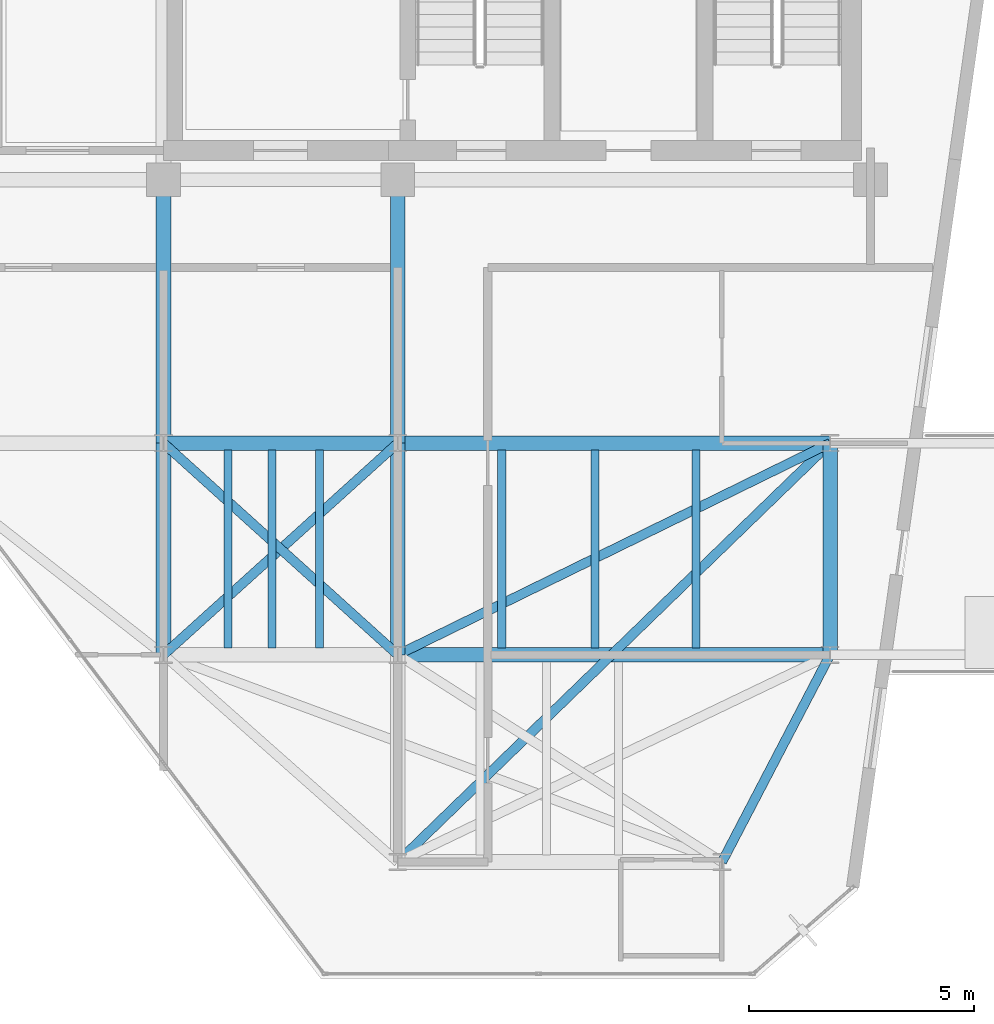
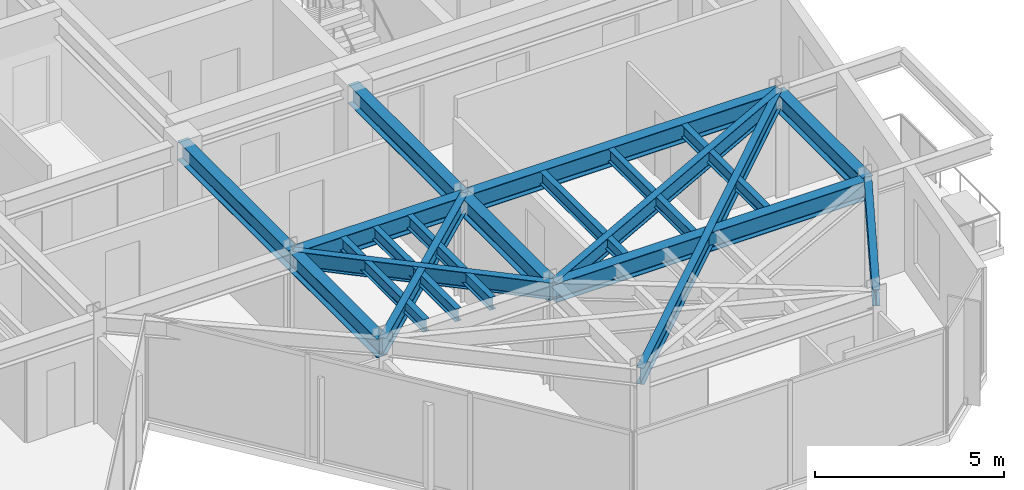
# One storey, part 10 of 16: 19 beams.
"""IFC4 building model written with IfcOpenShell, lengths in metres."""

import ifcopenshell
import ifcopenshell.guid

model = None  # the IFC model being written
_history = None  # IfcOwnerHistory: only IFC2X3 demands one
_inside = {}  # id of a spatial element -> (the spatial element, [elements in it])
_under = {}  # id of a project, library or spatial element -> (it, [spatial elements below it])
_declared = {}  # id of a project -> (the project, [libraries it declares])
_typed = {}  # id of a type object -> (the type object, [elements of that type])
_made_of = {}  # id of a material, layer set ... -> (it, [elements and type objects made of it])


def new_model(schema):
    """Start an empty IFC model of exactly this schema.

    Asked for "IFC4X3", IfcOpenShell would pick the latest addendum, in which some entities
    have other attributes; the version numbers below select the first issue.
    IFC2X3 requires an IfcOwnerHistory on every rooted entity: one is made here for all.
    """
    global model, _history
    if schema == "IFC4X3":
        model = ifcopenshell.file(schema_version=(4, 3, 0, 0))
    else:
        model = ifcopenshell.file(schema=schema)
    _inside.clear()
    _under.clear()
    _declared.clear()
    _typed.clear()
    _made_of.clear()
    _history = None
    if model.schema == "IFC2X3":
        org = make("IfcOrganization", Name="unknown")
        user = make(
            "IfcPersonAndOrganization",
            ThePerson=make("IfcPerson", FamilyName="unknown"),
            TheOrganization=org,
        )
        app = make(
            "IfcApplication",
            ApplicationDeveloper=org,
            Version="unknown",
            ApplicationFullName="unknown",
            ApplicationIdentifier="unknown",
        )
        _history = make(
            "IfcOwnerHistory",
            OwningUser=user,
            OwningApplication=app,
            ChangeAction="ADDED",
            CreationDate=0,
        )
    return model


def make(cls, **values):
    """One entity of the class cls with the attributes given. An attribute that is None is left unset."""
    return model.create_entity(
        cls, **{name: value for name, value in values.items() if value is not None}
    )


def rooted(cls, **values):
    """An entity with a GlobalId (a new one), such as an element, a storey or a relation."""
    return make(cls, GlobalId=ifcopenshell.guid.new(), OwnerHistory=_history, **values)


def si_unit(unit_type, name, prefix=None):
    """IfcSIUnit, for example si_unit("LENGTHUNIT", "METRE", prefix="MILLI")."""
    return make("IfcSIUnit", UnitType=unit_type, Prefix=prefix, Name=name)


def assignment(units):
    """IfcUnitAssignment: the units of a project."""
    return None if units is None else make("IfcUnitAssignment", Units=units)


def point(xyz):
    """IfcCartesianPoint."""
    return None if xyz is None else make("IfcCartesianPoint", Coordinates=xyz)


def direction(xyz):
    """IfcDirection."""
    return None if xyz is None else make("IfcDirection", DirectionRatios=xyz)


def frame(location, z_axis=None, x_axis=None):
    """IfcAxis2Placement3D, a coordinate frame: its origin and axes. An axis left out is left unset."""
    return make(
        "IfcAxis2Placement3D",
        Location=point(location),
        Axis=direction(z_axis),
        RefDirection=direction(x_axis),
    )


def frame_2d(location, x_axis=None):
    """IfcAxis2Placement2D, a coordinate frame in the plane: its origin and x axis."""
    return make(
        "IfcAxis2Placement2D", Location=point(location), RefDirection=direction(x_axis)
    )


def origin():
    """The frame at (0, 0, 0) with its axes left unset."""
    return frame((0.0, 0.0, 0.0))


def origin_2d():
    """The frame at (0, 0) in the plane with its x axis left unset."""
    return frame_2d((0.0, 0.0))


def place(relative_to, where):
    """IfcLocalPlacement: puts the frame where relative to a parent placement (None: the world)."""
    return make(
        "IfcLocalPlacement", PlacementRelTo=relative_to, RelativePlacement=where
    )


def context(
    kind, dimensions, precision=None, world=None, true_north=None, identifier=None
):
    """IfcGeometricRepresentationContext, for example the 3D "Model" context."""
    return make(
        "IfcGeometricRepresentationContext",
        ContextIdentifier=identifier,
        ContextType=kind,
        CoordinateSpaceDimension=dimensions,
        Precision=precision,
        WorldCoordinateSystem=world,
        TrueNorth=true_north,
    )


def subcontext(parent, identifier, kind, view, scale=None):
    """IfcGeometricRepresentationSubContext, for example "Body" below "Model"."""
    return make(
        "IfcGeometricRepresentationSubContext",
        ContextIdentifier=identifier,
        ContextType=kind,
        ParentContext=parent,
        TargetScale=scale,
        TargetView=view,
    )


def project(units=None, contexts=None):
    """IfcProject with its units and contexts."""
    return rooted(
        "IfcProject",
        Name="project",
        RepresentationContexts=contexts,
        UnitsInContext=assignment(units),
    )


def spatial(cls, under=None, at=None, **own):
    """A site, building, storey or space (cls), placed at a placement, below another one or the project."""
    s = rooted(cls, ObjectPlacement=at, **own)
    if under is not None:
        _under.setdefault(under.id(), (under, []))[1].append(s)
    return s


def profile(cls, at=None, kind="AREA", **sizes):
    """A parametric profile (cls). Its sizes go by their IFC names, for example OverallWidth=200.0."""
    return make(cls, ProfileType=kind, Position=at, **sizes)


def i_section(**sizes):
    """IfcIShapeProfileDef."""
    return profile("IfcIShapeProfileDef", **sizes)


def extrude(swept, where, along, depth):
    """IfcExtrudedAreaSolid: the profile swept, set in the frame where, extruded along a direction by depth."""
    return make(
        "IfcExtrudedAreaSolid",
        SweptArea=swept,
        Position=where,
        ExtrudedDirection=direction(along),
        Depth=depth,
    )


def shape(context_of_items, identifier, shape_type, items):
    """IfcShapeRepresentation: the items that make up one representation, for example the "Body"."""
    return make(
        "IfcShapeRepresentation",
        ContextOfItems=context_of_items,
        RepresentationIdentifier=identifier,
        RepresentationType=shape_type,
        Items=items,
    )


def material(Name=None, Category=None):
    """IfcMaterial."""
    return make("IfcMaterial", Name=Name, Category=Category)


def material_profile(
    of_material, cross_section, Name=None, Category=None, Priority=None
):
    """IfcMaterialProfile: a cross section and its material."""
    return make(
        "IfcMaterialProfile",
        Name=Name,
        Material=of_material,
        Profile=cross_section,
        Priority=Priority,
        Category=Category,
    )


def profile_set(profiles, Name=None, composite=None):
    """IfcMaterialProfileSet."""
    return make(
        "IfcMaterialProfileSet",
        Name=Name,
        MaterialProfiles=profiles,
        CompositeProfile=composite,
    )


def made_of(thing, what):
    """Note that an element or type object is made of a material, layer set ...; save() writes the relation."""
    if what is not None:
        _made_of.setdefault(what.id(), (what, []))[1].append(thing)
    return thing


def type_object(cls, material=None, **own):
    """A type object (cls), such as IfcWallType, which elements share."""
    return made_of(rooted(cls, **own), material)


def element(
    cls,
    number,
    at=None,
    inside=None,
    cuts=None,
    type_object=None,
    material=None,
    context=None,
    identifier="Body",
    shape_type=None,
    held_by="IfcProductDefinitionShape",
    body=None,
    shapes=None,
    **own,
):
    """One element of the class cls, such as IfcWall. Its Tag is "e" and its number.

    at: its placement. inside: the storey or other place that contains it. cuts: it is an
    opening in that element (IfcRelVoidsElement). A single representation is given by context,
    identifier, shape_type and body (its items); several are given by shapes. held_by: the class
    of the entity that holds the representations. save() writes the other relations.
    """
    e = rooted(cls, Tag="e%d" % number, ObjectPlacement=at, **own)
    if body is not None:
        shapes = [shape(context, identifier, shape_type, body)]
    if shapes is not None:
        e.Representation = make(held_by, Representations=shapes)
    if inside is not None:
        _inside.setdefault(inside.id(), (inside, []))[1].append(e)
    if cuts is not None:
        rooted(
            "IfcRelVoidsElement", RelatingBuildingElement=cuts, RelatedOpeningElement=e
        )
    if type_object is not None:
        _typed.setdefault(type_object.id(), (type_object, []))[1].append(e)
    return made_of(e, material)


def aggregate(whole, parts):
    """IfcRelAggregates: a whole, such as a stair, and the parts it consists of."""
    return rooted("IfcRelAggregates", RelatingObject=whole, RelatedObjects=parts)


def save(model, path):
    """Write the relations noted so far, then the file.

    IfcRelAggregates (storeys below a building ...), IfcRelContainedInSpatialStructure (elements
    in a storey), IfcRelDefinesByType, IfcRelAssociatesMaterial and IfcRelDeclares: one each for
    every whole, place, type object, material and project.
    """
    for whole, parts in _under.values():
        aggregate(whole, parts)
    for where, things in _inside.values():
        rooted(
            "IfcRelContainedInSpatialStructure",
            RelatedElements=things,
            RelatingStructure=where,
        )
    for kind, things in _typed.values():
        rooted("IfcRelDefinesByType", RelatedObjects=things, RelatingType=kind)
    for what, things in _made_of.values():
        rooted("IfcRelAssociatesMaterial", RelatedObjects=things, RelatingMaterial=what)
    for by, libraries in _declared.values():
        rooted("IfcRelDeclares", RelatingContext=by, RelatedDefinitions=libraries)
    model.write(path)


model = new_model("IFC4")

# Units and contexts
model_context = context("Model", 3, precision=1e-05, world=origin(), true_north=direction((0.0, 1.0)))
body_context = subcontext(model_context, "Body", "Model", "MODEL_VIEW")
ifc_project = project(units=[si_unit("LENGTHUNIT", "METRE"), si_unit("AREAUNIT", "SQUARE_METRE"), si_unit("VOLUMEUNIT", "CUBIC_METRE"), si_unit("PLANEANGLEUNIT", "RADIAN"), si_unit("MASSUNIT", "GRAM", prefix="KILO")], contexts=[model_context])

# Site, building, storey
site_placement = place(None, origin())
site = spatial("IfcSite", under=ifc_project, at=site_placement, CompositionType="ELEMENT")
building_placement = place(site_placement, origin())
building = spatial("IfcBuilding", under=site, at=building_placement, Name="Kravanh Interchange Tower", CompositionType="ELEMENT")
storey_placement = place(building_placement, frame((0.0, 0.0, 303.89990234375)))
storey = spatial("IfcBuildingStorey", under=building, at=storey_placement, Name="L75", CompositionType="ELEMENT", Elevation=303.89990234375)

# Beams
ifc_material_1 = material(Name="Structural Steel S355", Category="steel")
ifc_material_profile_1 = material_profile(ifc_material_1, i_section(OverallWidth=0.323974609375, OverallDepth=0.611083984375, WebThickness=0.0126953125, FlangeThickness=0.01904296875, FilletRadius=0.02197265625, at=origin_2d()), Name="W24X104")
ifc_profile_set_1 = profile_set([ifc_material_profile_1], Name="Structural Steel S355")
beam_type_1 = type_object("IfcBeamType", Name="Floor Beam W24X104 Structural Steel S355", PredefinedType="BEAM", material=ifc_profile_set_1)
beam_1_placement = place(storey_placement, frame((50.800048828125, 31.5, 3.0595703125), z_axis=(0.0, -1.0, 0.0), x_axis=(1.0, 0.0, 0.0)))
element("IfcBeam", 1, at=beam_1_placement, inside=storey, type_object=beam_type_1, Name="L75 Primary Floor Girder 5", PredefinedType="BEAM", context=body_context, shape_type="SweptSolid", body=[
    extrude(i_section(OverallWidth=0.323974609375, OverallDepth=0.611083984375, WebThickness=0.0126953125, FlangeThickness=0.01904296875, FilletRadius=0.02197265625, at=origin_2d()), origin(), (0.0, 0.0, 1.0), 4.699951171875),
])
beam_2_placement = place(storey_placement, frame((50.800048828125, 31.5, 3.0595703125), z_axis=(1.0, 0.0, 0.0), x_axis=(0.0, 1.0, 0.0)))
element("IfcBeam", 2, at=beam_2_placement, inside=storey, type_object=beam_type_1, Name="L75 Primary Floor Girder 6", PredefinedType="BEAM", context=body_context, shape_type="SweptSolid", body=[
    extrude(i_section(OverallWidth=0.323974609375, OverallDepth=0.611083984375, WebThickness=0.0126953125, FlangeThickness=0.01904296875, FilletRadius=0.02197265625, at=origin_2d()), origin(), (0.0, 0.0, 1.0), 5.199951171875),
])
beam_3_placement = place(storey_placement, frame((50.800048828125, 31.5, 3.0595703125), z_axis=(0.0, 1.0, 0.0), x_axis=(-1.0, 0.0, 0.0)))
element("IfcBeam", 3, at=beam_3_placement, inside=storey, type_object=beam_type_1, Name="L75 Primary Floor Girder 7", PredefinedType="BEAM", context=body_context, shape_type="SweptSolid", body=[
    extrude(i_section(OverallWidth=0.323974609375, OverallDepth=0.611083984375, WebThickness=0.0126953125, FlangeThickness=0.01904296875, FilletRadius=0.02197265625, at=origin_2d()), origin(), (0.0, 0.0, 1.0), 5.85009765625),
])
beam_4_placement = place(storey_placement, frame((56.0, 31.5, 3.0595703125), z_axis=(0.0, -1.0, 0.0), x_axis=(1.0, 0.0, 0.0)))
element("IfcBeam", 4, at=beam_4_placement, inside=storey, type_object=beam_type_1, Name="L75 Primary Floor Girder 9", PredefinedType="BEAM", context=body_context, shape_type="SweptSolid", body=[
    extrude(i_section(OverallWidth=0.323974609375, OverallDepth=0.611083984375, WebThickness=0.0126953125, FlangeThickness=0.01904296875, FilletRadius=0.02197265625, at=origin_2d()), origin(), (0.0, 0.0, 1.0), 4.699951171875),
])
beam_5_placement = place(storey_placement, frame((56.0, 31.5, 3.0595703125), z_axis=(0.0, 1.0, 0.0), x_axis=(-1.0, 0.0, 0.0)))
element("IfcBeam", 5, at=beam_5_placement, inside=storey, type_object=beam_type_1, Name="L75 Primary Floor Girder 10", PredefinedType="BEAM", context=body_context, shape_type="SweptSolid", body=[
    extrude(i_section(OverallWidth=0.323974609375, OverallDepth=0.611083984375, WebThickness=0.0126953125, FlangeThickness=0.01904296875, FilletRadius=0.02197265625, at=origin_2d()), origin(), (0.0, 0.0, 1.0), 5.85009765625),
])
beam_6_placement = place(storey_placement, frame((56.0, 31.5, 3.0595703125), z_axis=(1.0, 0.0, 0.0), x_axis=(0.0, 1.0, 0.0)))
element("IfcBeam", 6, at=beam_6_placement, inside=storey, type_object=beam_type_1, Name="L75 Primary Floor Girder 12", PredefinedType="BEAM", context=body_context, shape_type="SweptSolid", body=[
    extrude(i_section(OverallWidth=0.323974609375, OverallDepth=0.611083984375, WebThickness=0.0126953125, FlangeThickness=0.01904296875, FilletRadius=0.02197265625, at=origin_2d()), origin(), (0.0, 0.0, 1.0), 9.60009765625),
])
beam_7_placement = place(storey_placement, frame((65.60009765625, 31.5, 3.0595703125), z_axis=(0.0, -1.0, 0.0), x_axis=(1.0, 0.0, 0.0)))
element("IfcBeam", 7, at=beam_7_placement, inside=storey, type_object=beam_type_1, Name="L75 Primary Floor Girder 13", PredefinedType="BEAM", context=body_context, shape_type="SweptSolid", body=[
    extrude(i_section(OverallWidth=0.323974609375, OverallDepth=0.611083984375, WebThickness=0.0126953125, FlangeThickness=0.01904296875, FilletRadius=0.02197265625, at=origin_2d()), origin(), (0.0, 0.0, 1.0), 4.699951171875),
])
beam_8_placement = place(storey_placement, frame((56.0, 26.800048828125, 3.0595703125), z_axis=(1.0, 0.0, 0.0), x_axis=(0.0, 1.0, 0.0)))
element("IfcBeam", 8, at=beam_8_placement, inside=storey, type_object=beam_type_1, Name="L75 Primary Floor Girder 24", PredefinedType="BEAM", context=body_context, shape_type="SweptSolid", body=[
    extrude(i_section(OverallWidth=0.323974609375, OverallDepth=0.611083984375, WebThickness=0.0126953125, FlangeThickness=0.01904296875, FilletRadius=0.02197265625, at=origin_2d()), origin(), (0.0, 0.0, 1.0), 9.60009765625),
])
ifc_material_2 = material(Name="Structural Steel S355", Category="steel")
ifc_material_profile_2 = material_profile(ifc_material_2, i_section(OverallWidth=0.177978515625, OverallDepth=0.406005859375, WebThickness=0.0078125, FlangeThickness=0.0126953125, FilletRadius=0.01611328125, at=origin_2d()), Name="W16X40")
ifc_profile_set_2 = profile_set([ifc_material_profile_2], Name="Structural Steel S355")
beam_type_2 = type_object("IfcBeamType", Name="Floor Joist W16X40 Structural Steel S355", PredefinedType="JOIST", material=ifc_profile_set_2)
for number, where, z_axis, x_axis, name in (
    (9, (52.22998046875, 26.95703125, 3.162109375), (0.0, 1.0, 0.0), (-1.0, 0.0, 0.0), "L75 Secondary Floor Joist 4"),
    (10, (53.205078125, 26.95703125, 3.162109375), (0.0, 1.0, 0.0), (-1.0, 0.0, 0.0), "L75 Secondary Floor Joist 5"),
    (11, (54.258056640625, 26.95703125, 3.162109375), (0.0, 1.0, 0.0), (-1.0, 0.0, 0.0), "L75 Secondary Floor Joist 6"),
    (12, (58.31005859375, 26.95703125, 3.162109375), (0.0, 1.0, 0.0), (-1.0, 0.0, 0.0), "L75 Secondary Floor Joist 7"),
    (13, (60.385009765625, 26.95703125, 3.162109375), (0.0, 1.0, 0.0), (-1.0, 0.0, 0.0), "L75 Secondary Floor Joist 8"),
    (14, (62.6259765625, 26.95703125, 3.162109375), (0.0, 1.0, 0.0), (-1.0, 0.0, 0.0), "L75 Secondary Floor Joist 9"),
):
    element("IfcBeam", number, at=place(storey_placement, frame(where, z_axis=z_axis, x_axis=x_axis)), inside=storey, type_object=beam_type_2, Name=name, PredefinedType="JOIST", context=body_context, shape_type="SweptSolid", body=[
        extrude(i_section(OverallWidth=0.177978515625, OverallDepth=0.406005859375, WebThickness=0.0078125, FlangeThickness=0.0126953125, FilletRadius=0.01611328125, at=origin_2d()), origin(), (0.0, 0.0, 1.0), 4.385986328125),
    ])
ifc_material_3 = material(Name="Structural Steel S355", Category="steel")
ifc_material_profile_3 = material_profile(ifc_material_3, i_section(OverallWidth=0.2099609375, OverallDepth=0.537109375, WebThickness=0.010986328125, FlangeThickness=0.017333984375, FilletRadius=0.02001953125, at=origin_2d()), Name="W21X68")
ifc_profile_set_3 = profile_set([ifc_material_profile_3], Name="Structural Steel S355")
beam_type_3 = type_object("IfcBeamType", Name="Floor Spandrel W21X68 Structural Steel S355", PredefinedType="SPANDREL", material=ifc_profile_set_3)
for number, where, z_axis, x_axis, name in (
    (15, (50.800048828125, 31.5, 3.0966796875), (0.741874009795, -0.670539300557, 0.0), (0.670539300557, 0.741874009795, 0.0), "L75 Perimeter Spandrel 8"),
    (16, (56.0, 31.5, 3.0966796875), (-0.741874009795, -0.670539300557, 0.0), (0.670539300557, -0.741874009795, 0.0), "L75 Perimeter Spandrel 11"),
):
    element("IfcBeam", number, at=place(storey_placement, frame(where, z_axis=z_axis, x_axis=x_axis)), inside=storey, type_object=beam_type_3, Name=name, PredefinedType="SPANDREL", context=body_context, shape_type="SweptSolid", body=[
        extrude(i_section(OverallWidth=0.2099609375, OverallDepth=0.537109375, WebThickness=0.010986328125, FlangeThickness=0.017333984375, FilletRadius=0.02001953125, at=origin_2d()), origin(), (0.0, 0.0, 1.0), 7.00927734375),
    ])
beam_9_placement = place(storey_placement, frame((65.60009765625, 31.5, 3.0966796875), z_axis=(-0.898141688387, -0.439706160499, 0.0), x_axis=(0.439706160499, -0.898141688387, 0.0)))
element("IfcBeam", 17, at=beam_9_placement, inside=storey, type_object=beam_type_3, Name="L75 Perimeter Spandrel 15", PredefinedType="SPANDREL", context=body_context, shape_type="SweptSolid", body=[
    extrude(i_section(OverallWidth=0.2099609375, OverallDepth=0.537109375, WebThickness=0.010986328125, FlangeThickness=0.017333984375, FilletRadius=0.02001953125, at=origin_2d()), origin(), (0.0, 0.0, 1.0), 10.68896484375),
])
beam_10_placement = place(storey_placement, frame((65.60009765625, 31.5, 3.0966796875), z_axis=(-0.718241934329, -0.695793449072, 0.0), x_axis=(0.695793449072, -0.718241934329, 0.0)))
element("IfcBeam", 18, at=beam_10_placement, inside=storey, type_object=beam_type_3, Name="L75 Perimeter Spandrel 16", PredefinedType="SPANDREL", context=body_context, shape_type="SweptSolid", body=[
    extrude(i_section(OverallWidth=0.2099609375, OverallDepth=0.537109375, WebThickness=0.010986328125, FlangeThickness=0.017333984375, FilletRadius=0.02001953125, at=origin_2d()), origin(), (0.0, 0.0, 1.0), 13.3662109375),
])
beam_11_placement = place(storey_placement, frame((65.60009765625, 26.800048828125, 3.0966796875), z_axis=(-0.462580479178, -0.886577295155, 0.0), x_axis=(0.886577295155, -0.462580479178, 0.0)))
element("IfcBeam", 19, at=beam_11_placement, inside=storey, type_object=beam_type_3, Name="L75 Perimeter Spandrel 25", PredefinedType="SPANDREL", context=body_context, shape_type="SweptSolid", body=[
    extrude(i_section(OverallWidth=0.2099609375, OverallDepth=0.537109375, WebThickness=0.010986328125, FlangeThickness=0.017333984375, FilletRadius=0.02001953125, at=origin_2d()), origin(), (0.0, 0.0, 1.0), 5.188720703125),
])

save(model, "model.ifc")
